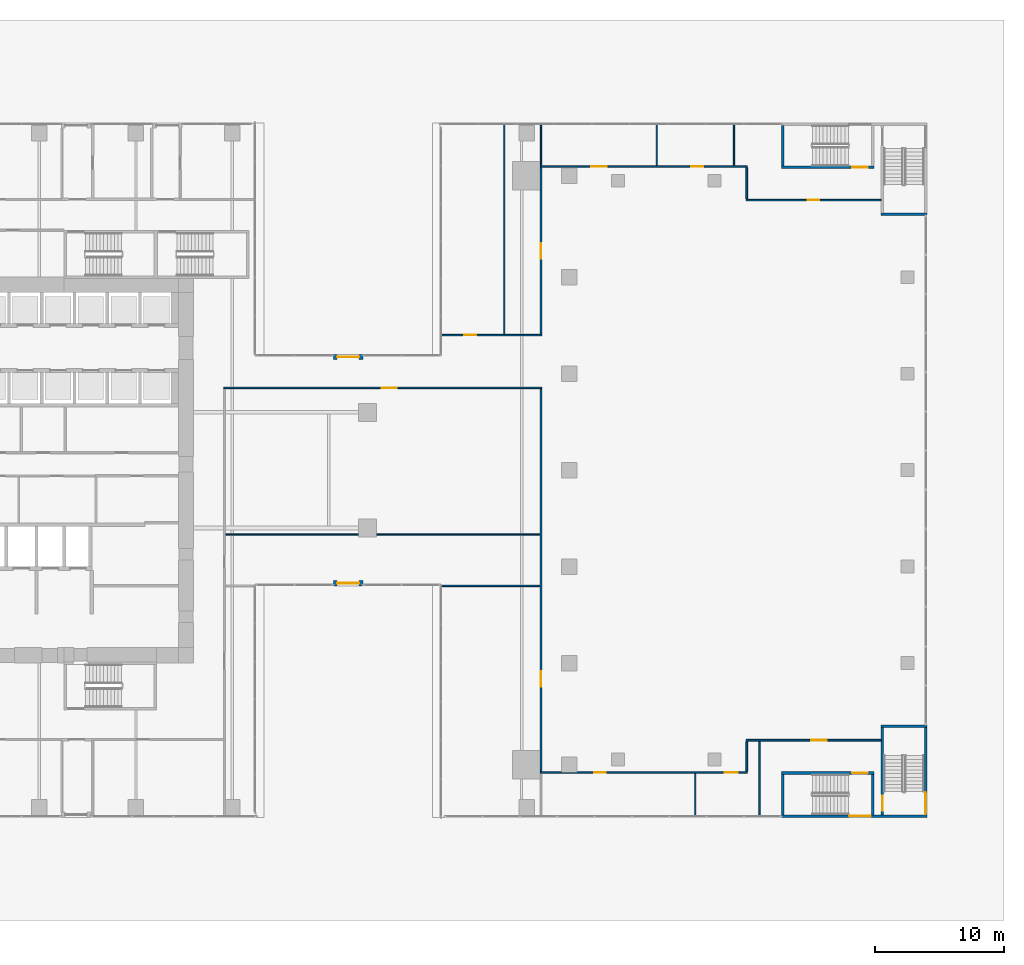
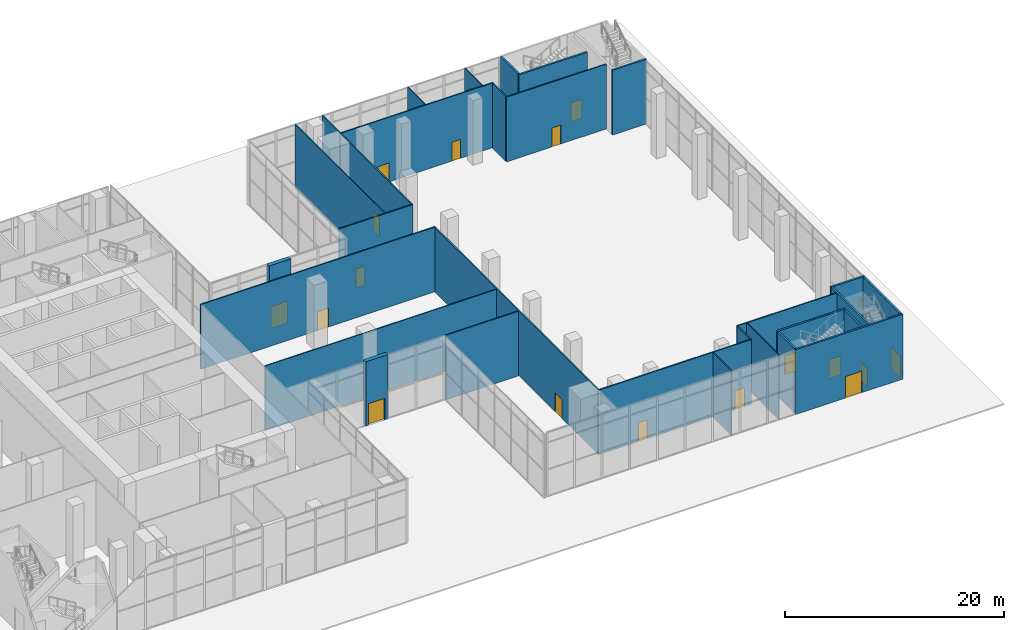
# One storey, part 41 of 52: 30 walls, 17 doors, 17 openings.
"""IFC4 building model written with IfcOpenShell, lengths in metres."""

from ifc_helpers import new_model, si_unit, direction, frame, frame_2d, origin, place, context, subcontext, project, spatial, rectangle, extrude, source, transform, mapped, material, layer, layer_set, type_object, element, fill, save


model = new_model("IFC4")

# Units and contexts
model_context = context("Model", 3, precision=1e-05, world=origin(), true_north=direction((0.0, 1.0)))
body_context = subcontext(model_context, "Body", "Model", "MODEL_VIEW")
ifc_project = project(units=[si_unit("LENGTHUNIT", "METRE"), si_unit("AREAUNIT", "SQUARE_METRE"), si_unit("VOLUMEUNIT", "CUBIC_METRE"), si_unit("PLANEANGLEUNIT", "RADIAN"), si_unit("MASSUNIT", "GRAM", prefix="KILO")], contexts=[model_context])

# Site, building, storey
site_placement = place(None, origin())
site = spatial("IfcSite", under=ifc_project, at=site_placement, CompositionType="ELEMENT")
building_placement = place(site_placement, origin())
building = spatial("IfcBuilding", under=site, at=building_placement, Name="Khomas Fold Tower", CompositionType="ELEMENT")
storey_placement = place(building_placement, origin())
storey = spatial("IfcBuildingStorey", under=building, at=storey_placement, Name="L00", CompositionType="ELEMENT", Elevation=0.0)

# Wall, opening, door
ifc_material_1 = material(Name="Concrete C40/50", Category="concrete")
ifc_layer_1 = layer(ifc_material_1, 0.39990234375)
ifc_layer_set_1 = layer_set([ifc_layer_1], Name="Concrete C40/50")
wall_type_1 = type_object("IfcWallType", Name="Stone-clad concrete wall 400", PredefinedType="SOLIDWALL", material=ifc_layer_set_1)
shared_shape_1 = source(origin(), body_context, "Body", "SweptSolid", [
    extrude(rectangle(XDim=2.2998046875, YDim=0.39990234375, at=frame_2d((1.14990234375, 0.0))), origin(), (0.0, 0.0, 1.0), 7.14990234375),
])
wall_1_placement = place(storey_placement, frame((34.85009765625, 18.199951171875, 0.0), z_axis=(0.0, 0.0, 1.0), x_axis=(1.0, 0.0, 0.0)))
wall_1 = element("IfcWall", 1, at=wall_1_placement, inside=storey, type_object=wall_type_1, Name="Podium wall", PredefinedType="SOLIDWALL", context=body_context, shape_type="MappedRepresentation", body=[
    mapped(shared_shape_1, transform((0.0, 0.0, 0.0))),
])
shared_shape_2 = source(origin(), body_context, "Body", "SweptSolid", [
    extrude(rectangle(XDim=1.699951171875, YDim=2.39990234375, at=frame_2d((0.85009765625, 1.199951171875))), frame((0.0, 0.2099609375, 0.0), z_axis=(0.0, -1.0, 0.0), x_axis=(1.0, 0.0, 0.0)), (0.0, 0.0, 1.0), 0.419921875),
])
opening_1_placement = place(wall_1_placement, frame((2.0, 0.0, 0.0), z_axis=(0.0, 0.0, 1.0), x_axis=(-1.0, 0.0, 0.0)))
opening_1 = element("IfcOpeningElement", 2, at=opening_1_placement, cuts=wall_1, Name="Opening X12", PredefinedType="OPENING", context=body_context, shape_type="MappedRepresentation", body=[
    mapped(shared_shape_2, transform((0.0, 0.0, 0.0))),
])
ifc_material_2 = material(Name="Aluminium framed glazing", Category="aluminium")
door_type_1 = type_object("IfcDoorType", Name="Glazed pedestrian door 1700 x 2400", OperationType="DOUBLE_DOOR_SINGLE_SWING", PredefinedType="DOOR", material=ifc_material_2)
shared_shape_3 = source(origin(), body_context, "Body", "SweptSolid", [
    extrude(rectangle(XDim=1.699951171875, YDim=2.39990234375, at=frame_2d((0.85009765625, 1.199951171875))), frame((0.0, 0.02490234375, 0.0), z_axis=(0.0, -1.0, 0.0), x_axis=(1.0, 0.0, 0.0)), (0.0, 0.0, 1.0), 0.050048828125),
])
door_1_placement = place(opening_1_placement, origin())
door_1 = element("IfcDoor", 3, at=door_1_placement, inside=storey, type_object=door_type_1, Name="Exit X12", OperationType="DOUBLE_DOOR_SINGLE_SWING", OverallHeight=2.39990234375, OverallWidth=1.699951171875, PredefinedType="DOOR", context=body_context, shape_type="MappedRepresentation", body=[
    mapped(shared_shape_3, transform((0.0, 0.0, 0.0))),
])
fill(opening_1, door_1)

wall_2_placement = place(storey_placement, frame((37.14990234375, 35.800048828125, 0.0), z_axis=(0.0, 0.0, 1.0), x_axis=(-1.0, 0.0, 0.0)))
wall_2 = element("IfcWall", 4, at=wall_2_placement, inside=storey, type_object=wall_type_1, Name="Podium wall", PredefinedType="SOLIDWALL", context=body_context, shape_type="MappedRepresentation", body=[
    mapped(shared_shape_1, transform((0.0, 0.0, 0.0))),
])
opening_2_placement = place(wall_2_placement, frame((2.0, 0.0, 0.0), z_axis=(0.0, 0.0, 1.0), x_axis=(-1.0, 0.0, 0.0)))
opening_2 = element("IfcOpeningElement", 5, at=opening_2_placement, cuts=wall_2, Name="Opening X13", PredefinedType="OPENING", context=body_context, shape_type="MappedRepresentation", body=[
    mapped(shared_shape_2, transform((0.0, 0.0, 0.0))),
])
door_2_placement = place(opening_2_placement, origin())
door_2 = element("IfcDoor", 6, at=door_2_placement, inside=storey, type_object=door_type_1, Name="Exit X13", OperationType="DOUBLE_DOOR_SINGLE_SWING", OverallHeight=2.39990234375, OverallWidth=1.699951171875, PredefinedType="DOOR", context=body_context, shape_type="MappedRepresentation", body=[
    mapped(shared_shape_3, transform((0.0, 0.0, 0.0))),
])
fill(opening_2, door_2)

ifc_material_3 = material(Name="Concrete C30/37", Category="concrete")
ifc_layer_2 = layer(ifc_material_3, 0.199951171875)
ifc_layer_set_2 = layer_set([ifc_layer_2], Name="Concrete C30/37")
wall_type_2 = type_object("IfcWallType", Name="Stair wall PW5 200", PredefinedType="PARTITIONING", material=ifc_layer_set_2)
shared_shape_4 = source(origin(), body_context, "Body", "SweptSolid", [
    extrude(rectangle(XDim=7.199951171875, YDim=0.199951171875, at=frame_2d((3.60009765625, 0.0))), origin(), (0.0, 0.0, 1.0), 7.199951171875),
])
wall_3_placement = place(storey_placement, frame((69.699951171875, 3.449951171875, 0.0), z_axis=(0.0, 0.0, 1.0), x_axis=(1.0, 0.0, 0.0)))
wall_3 = element("IfcWall", 7, at=wall_3_placement, inside=storey, type_object=wall_type_2, Name="Stair wall", PredefinedType="PARTITIONING", context=body_context, shape_type="MappedRepresentation", body=[
    mapped(shared_shape_4, transform((0.0, 0.0, 0.0))),
])
shared_shape_5 = source(origin(), body_context, "Body", "SweptSolid", [
    extrude(rectangle(XDim=1.199951171875, YDim=2.10009765625, at=frame_2d((0.60009765625, 1.050048828125))), frame((0.0, 0.10986328125, 0.0), z_axis=(0.0, -1.0, 0.0), x_axis=(1.0, 0.0, 0.0)), (0.0, 0.0, 1.0), 0.219970703125),
])
opening_3_placement = place(wall_3_placement, frame((5.5, 0.0, 0.0)))
opening_3 = element("IfcOpeningElement", 8, at=opening_3_placement, cuts=wall_3, Name="Opening 0018", PredefinedType="OPENING", context=body_context, shape_type="MappedRepresentation", body=[
    mapped(shared_shape_5, transform((0.0, 0.0, 0.0))),
])
ifc_material_4 = material(Name="Steel door leaf", Category="steel")
door_type_2 = type_object("IfcDoorType", Name="Stair door 1200x2100 right-hand", OperationType="SINGLE_SWING_RIGHT", PredefinedType="DOOR", material=ifc_material_4)
shared_shape_6 = source(origin(), body_context, "Body", "SweptSolid", [
    extrude(rectangle(XDim=1.199951171875, YDim=2.10009765625, at=frame_2d((0.60009765625, 1.050048828125))), frame((0.0, 0.02490234375, 0.0), z_axis=(0.0, -1.0, 0.0), x_axis=(1.0, 0.0, 0.0)), (0.0, 0.0, 1.0), 0.050048828125),
])
door_3_placement = place(opening_3_placement, origin())
door_3 = element("IfcDoor", 9, at=door_3_placement, inside=storey, type_object=door_type_2, Name="Stair door", OperationType="SINGLE_SWING_RIGHT", OverallHeight=2.10009765625, OverallWidth=1.199951171875, PredefinedType="DOOR", context=body_context, shape_type="MappedRepresentation", body=[
    mapped(shared_shape_6, transform((0.0, 0.0, 0.0))),
])
fill(opening_3, door_3)

wall_4_placement = place(storey_placement, frame((69.699951171875, 50.550048828125, 0.0), z_axis=(0.0, 0.0, 1.0), x_axis=(1.0, 0.0, 0.0)))
wall_4 = element("IfcWall", 10, at=wall_4_placement, inside=storey, type_object=wall_type_2, Name="Stair wall", PredefinedType="PARTITIONING", context=body_context, shape_type="MappedRepresentation", body=[
    mapped(shared_shape_4, transform((0.0, 0.0, 0.0))),
])
opening_4_placement = place(wall_4_placement, frame((5.5, 0.0, 0.0)))
opening_4 = element("IfcOpeningElement", 11, at=opening_4_placement, cuts=wall_4, Name="Opening 0017", PredefinedType="OPENING", context=body_context, shape_type="MappedRepresentation", body=[
    mapped(shared_shape_5, transform((0.0, 0.0, 0.0))),
])
ifc_material_5 = material(Name="Steel door leaf", Category="steel")
door_type_3 = type_object("IfcDoorType", Name="Stair door 1200x2100 left-hand", OperationType="SINGLE_SWING_LEFT", PredefinedType="DOOR", material=ifc_material_5)
door_4_placement = place(opening_4_placement, origin())
door_4 = element("IfcDoor", 12, at=door_4_placement, inside=storey, type_object=door_type_3, Name="Stair door", OperationType="SINGLE_SWING_LEFT", OverallHeight=2.10009765625, OverallWidth=1.199951171875, PredefinedType="DOOR", context=body_context, shape_type="MappedRepresentation", body=[
    mapped(shared_shape_6, transform((0.0, 0.0, 0.0))),
])
fill(opening_4, door_4)

# Walls
shared_shape_7 = source(origin(), body_context, "Body", "SweptSolid", [
    extrude(rectangle(XDim=3.150146484375, YDim=0.199951171875, at=frame_2d((1.5751953125, 0.0))), origin(), (0.0, 0.0, 1.0), 7.199951171875),
])
for number, where, z_axis, x_axis, name in (
    (13, (69.800048828125, 0.199951171875, 0.0), (0.0, 0.0, 1.0), (0.0, 1.0, 0.0), "Stair wall"),
    (14, (76.800048828125, 0.199951171875, 0.0), (0.0, 0.0, 1.0), (0.0, 1.0, 0.0), "Stair wall"),
    (15, (69.800048828125, 50.64990234375, 0.0), (0.0, 0.0, 1.0), (0.0, 1.0, 0.0), "Stair wall"),
):
    element("IfcWall", number, at=place(storey_placement, frame(where, z_axis=z_axis, x_axis=x_axis)), inside=storey, type_object=wall_type_2, Name=name, PredefinedType="PARTITIONING", context=body_context, shape_type="MappedRepresentation", body=[
        mapped(shared_shape_7, transform((0.0, 0.0, 0.0))),
    ])
shared_shape_8 = source(origin(), body_context, "Body", "SweptSolid", [
    extrude(rectangle(XDim=3.550048828125, YDim=0.199951171875, at=frame_2d((1.77490234375, 0.0))), origin(), (0.0, 0.0, 1.0), 7.199951171875),
])
for number, where, z_axis, x_axis, name in (
    (16, (77.449951171875, 7.10009765625, 0.0), (0.0, 0.0, 1.0), (1.0, 0.0, 0.0), "Stair wall"),
    (17, (77.449951171875, 46.89990234375, 0.0), (0.0, 0.0, 1.0), (1.0, 0.0, 0.0), "Stair wall"),
):
    element("IfcWall", number, at=place(storey_placement, frame(where, z_axis=z_axis, x_axis=x_axis)), inside=storey, type_object=wall_type_2, Name=name, PredefinedType="PARTITIONING", context=body_context, shape_type="MappedRepresentation", body=[
        mapped(shared_shape_8, transform((0.0, 0.0, 0.0))),
    ])

# Wall, opening, door
shared_shape_9 = source(origin(), body_context, "Body", "SweptSolid", [
    extrude(rectangle(XDim=6.800048828125, YDim=0.199951171875, at=frame_2d((3.39990234375, 0.0))), origin(), (0.0, 0.0, 1.0), 7.199951171875),
])
wall_5_placement = place(storey_placement, frame((77.550048828125, 0.199951171875, 0.0), z_axis=(0.0, 0.0, 1.0), x_axis=(0.0, 1.0, 0.0)))
wall_5 = element("IfcWall", 18, at=wall_5_placement, inside=storey, type_object=wall_type_2, Name="Stair wall", PredefinedType="PARTITIONING", context=body_context, shape_type="MappedRepresentation", body=[
    mapped(shared_shape_9, transform((0.0, 0.0, 0.0))),
])
opening_5_placement = place(wall_5_placement, frame((0.300048828125, 0.0, 0.0)))
opening_5 = element("IfcOpeningElement", 19, at=opening_5_placement, cuts=wall_5, Name="Opening 0018", PredefinedType="OPENING", context=body_context, shape_type="MappedRepresentation", body=[
    mapped(shared_shape_5, transform((0.0, 0.0, 0.0))),
])
door_5_placement = place(opening_5_placement, origin())
door_5 = element("IfcDoor", 20, at=door_5_placement, inside=storey, type_object=door_type_2, Name="Stair door", OperationType="SINGLE_SWING_RIGHT", OverallHeight=2.10009765625, OverallWidth=1.199951171875, PredefinedType="DOOR", context=body_context, shape_type="MappedRepresentation", body=[
    mapped(shared_shape_6, transform((0.0, 0.0, 0.0))),
])
fill(opening_5, door_5)

wall_6_placement = place(storey_placement, frame((80.89990234375, 0.199951171875, 0.0), z_axis=(0.0, 0.0, 1.0), x_axis=(0.0, 1.0, 0.0)))
wall_6 = element("IfcWall", 21, at=wall_6_placement, inside=storey, type_object=wall_type_2, Name="Stair wall", PredefinedType="PARTITIONING", context=body_context, shape_type="MappedRepresentation", body=[
    mapped(shared_shape_9, transform((0.0, 0.0, 0.0))),
])
shared_shape_10 = source(origin(), body_context, "Body", "SweptSolid", [
    extrude(rectangle(XDim=1.699951171875, YDim=2.39990234375, at=frame_2d((0.85009765625, 1.199951171875))), frame((0.0, 0.10986328125, 0.0), z_axis=(0.0, -1.0, 0.0), x_axis=(1.0, 0.0, 0.0)), (0.0, 0.0, 1.0), 0.219970703125),
])
opening_6_placement = place(wall_6_placement, frame((1.75, 0.0, 0.0), z_axis=(0.0, 0.0, 1.0), x_axis=(-1.0, 0.0, 0.0)))
opening_6 = element("IfcOpeningElement", 22, at=opening_6_placement, cuts=wall_6, Name="Opening X4", PredefinedType="OPENING", context=body_context, shape_type="MappedRepresentation", body=[
    mapped(shared_shape_10, transform((0.0, 0.0, 0.0))),
])
ifc_material_6 = material(Name="Steel door leaf", Category="steel")
door_type_4 = type_object("IfcDoorType", Name="Stair discharge door 1700x2400", OperationType="DOUBLE_DOOR_SINGLE_SWING", PredefinedType="DOOR", material=ifc_material_6)
door_6_placement = place(opening_6_placement, origin())
door_6 = element("IfcDoor", 23, at=door_6_placement, inside=storey, type_object=door_type_4, Name="Stair discharge door", OperationType="DOUBLE_DOOR_SINGLE_SWING", OverallHeight=2.39990234375, OverallWidth=1.699951171875, PredefinedType="DOOR", context=body_context, shape_type="MappedRepresentation", body=[
    mapped(shared_shape_3, transform((0.0, 0.0, 0.0))),
])
fill(opening_6, door_6)

shared_shape_11 = source(origin(), body_context, "Body", "SweptSolid", [
    extrude(rectangle(XDim=11.300048828125, YDim=0.199951171875, at=frame_2d((5.64990234375, 0.0))), origin(), (0.0, 0.0, 1.0), 7.199951171875),
])
wall_7_placement = place(storey_placement, frame((69.699951171875, 0.10009765625, 0.0), z_axis=(0.0, 0.0, 1.0), x_axis=(1.0, 0.0, 0.0)))
wall_7 = element("IfcWall", 24, at=wall_7_placement, inside=storey, type_object=wall_type_2, Name="Stair wall", PredefinedType="PARTITIONING", context=body_context, shape_type="MappedRepresentation", body=[
    mapped(shared_shape_11, transform((0.0, 0.0, 0.0))),
])
opening_7_placement = place(wall_7_placement, frame((6.949951171875, 0.0, 0.0), z_axis=(0.0, 0.0, 1.0), x_axis=(-1.0, 0.0, 0.0)))
opening_7 = element("IfcOpeningElement", 25, at=opening_7_placement, cuts=wall_7, Name="Opening X3", PredefinedType="OPENING", context=body_context, shape_type="MappedRepresentation", body=[
    mapped(shared_shape_10, transform((0.0, 0.0, 0.0))),
])
door_7_placement = place(opening_7_placement, origin())
door_7 = element("IfcDoor", 26, at=door_7_placement, inside=storey, type_object=door_type_4, Name="Stair discharge door", OperationType="DOUBLE_DOOR_SINGLE_SWING", OverallHeight=2.39990234375, OverallWidth=1.699951171875, PredefinedType="DOOR", context=body_context, shape_type="MappedRepresentation", body=[
    mapped(shared_shape_3, transform((0.0, 0.0, 0.0))),
])
fill(opening_7, door_7)

# Walls
ifc_material_7 = material(Name="Plasterboard partition")
ifc_layer_3 = layer(ifc_material_7, 0.10009765625)
ifc_layer_set_3 = layer_set([ifc_layer_3], Name="Plasterboard partition")
wall_type_3 = type_object("IfcWallType", Name="Partition PW1 100", PredefinedType="PARTITIONING", material=ifc_layer_set_3)
shared_shape_12 = source(origin(), body_context, "Body", "SweptSolid", [
    extrude(rectangle(XDim=3.2998046875, YDim=0.10009765625, at=frame_2d((1.64990234375, 0.0))), origin(), (0.0, 0.0, 1.0), 7.199951171875),
])
wall_8_placement = place(storey_placement, frame((63.0, 0.10009765625, 0.0), z_axis=(0.0, 0.0, 1.0), x_axis=(0.0, 1.0, 0.0)))
element("IfcWall", 27, at=wall_8_placement, inside=storey, type_object=wall_type_3, Name="Partition", PredefinedType="PARTITIONING", context=body_context, shape_type="MappedRepresentation", body=[
    mapped(shared_shape_12, transform((0.0, 0.0, 0.0))),
])
shared_shape_13 = source(origin(), body_context, "Body", "SweptSolid", [
    extrude(rectangle(XDim=5.7998046875, YDim=0.10009765625, at=frame_2d((2.89990234375, 0.0))), origin(), (0.0, 0.0, 1.0), 7.199951171875),
])
wall_9_placement = place(storey_placement, frame((68.0, 0.10009765625, 0.0), z_axis=(0.0, 0.0, 1.0), x_axis=(0.0, 1.0, 0.0)))
element("IfcWall", 28, at=wall_9_placement, inside=storey, type_object=wall_type_3, Name="Partition", PredefinedType="PARTITIONING", context=body_context, shape_type="MappedRepresentation", body=[
    mapped(shared_shape_13, transform((0.0, 0.0, 0.0))),
])

# Wall, openings, doors
ifc_material_8 = material(Name="Plasterboard partition")
ifc_layer_4 = layer(ifc_material_8, 0.125)
ifc_layer_set_4 = layer_set([ifc_layer_4], Name="Plasterboard partition")
wall_type_4 = type_object("IfcWallType", Name="Partition PW2 125", PredefinedType="PARTITIONING", material=ifc_layer_set_4)
shared_shape_14 = source(origin(), body_context, "Body", "SweptSolid", [
    extrude(rectangle(XDim=16.10009765625, YDim=0.125, at=frame_2d((8.050048828125, 0.0))), origin(), (0.0, 0.0, 1.0), 7.199951171875),
])
wall_10_placement = place(storey_placement, frame((50.949951171875, 3.5, 0.0), z_axis=(0.0, 0.0, 1.0), x_axis=(1.0, 0.0, 0.0)))
wall_10 = element("IfcWall", 29, at=wall_10_placement, inside=storey, type_object=wall_type_4, Name="Partition", PredefinedType="PARTITIONING", context=body_context, shape_type="MappedRepresentation", body=[
    mapped(shared_shape_14, transform((0.0, 0.0, 0.0))),
])
shared_shape_15 = source(origin(), body_context, "Body", "SweptSolid", [
    extrude(rectangle(XDim=0.89990234375, YDim=2.10009765625, at=frame_2d((0.449951171875, 1.050048828125))), frame((0.0, 0.072509765625, 0.0), z_axis=(0.0, -1.0, 0.0), x_axis=(1.0, 0.0, 0.0)), (0.0, 0.0, 1.0), 0.14501953125),
])
opening_8_placement = place(wall_10_placement, frame((4.199951171875, 0.0, 0.0)))
opening_8 = element("IfcOpeningElement", 30, at=opening_8_placement, cuts=wall_10, Name="Opening 0005", PredefinedType="OPENING", context=body_context, shape_type="MappedRepresentation", body=[
    mapped(shared_shape_15, transform((0.0, 0.0, 0.0))),
])
shared_shape_16 = source(origin(), body_context, "Body", "SweptSolid", [
    extrude(rectangle(XDim=1.0, YDim=2.10009765625, at=frame_2d((0.5, 1.050048828125))), frame((0.0, 0.072509765625, 0.0), z_axis=(0.0, -1.0, 0.0), x_axis=(1.0, 0.0, 0.0)), (0.0, 0.0, 1.0), 0.14501953125),
])
opening_9_placement = place(wall_10_placement, frame((14.35009765625, 0.0, 0.0)))
opening_9 = element("IfcOpeningElement", 31, at=opening_9_placement, cuts=wall_10, Name="Opening 0006", PredefinedType="OPENING", context=body_context, shape_type="MappedRepresentation", body=[
    mapped(shared_shape_16, transform((0.0, 0.0, 0.0))),
])
ifc_material_9 = material(Name="Timber door leaf", Category="wood")
door_type_5 = type_object("IfcDoorType", Name="WC door 900x2100 left-hand", OperationType="SINGLE_SWING_LEFT", PredefinedType="DOOR", material=ifc_material_9)
shared_shape_17 = source(origin(), body_context, "Body", "SweptSolid", [
    extrude(rectangle(XDim=0.89990234375, YDim=2.10009765625, at=frame_2d((0.449951171875, 1.050048828125))), frame((0.0, 0.02490234375, 0.0), z_axis=(0.0, -1.0, 0.0), x_axis=(1.0, 0.0, 0.0)), (0.0, 0.0, 1.0), 0.050048828125),
])
door_8_placement = place(opening_8_placement, origin())
door_8 = element("IfcDoor", 32, at=door_8_placement, inside=storey, type_object=door_type_5, Name="WC door", OperationType="SINGLE_SWING_LEFT", OverallHeight=2.10009765625, OverallWidth=0.89990234375, PredefinedType="DOOR", context=body_context, shape_type="MappedRepresentation", body=[
    mapped(shared_shape_17, transform((0.0, 0.0, 0.0))),
])
fill(opening_8, door_8)
ifc_material_10 = material(Name="Timber door leaf", Category="wood")
door_type_6 = type_object("IfcDoorType", Name="WC door 1000x2100 right-hand", OperationType="SINGLE_SWING_RIGHT", PredefinedType="DOOR", material=ifc_material_10)
shared_shape_18 = source(origin(), body_context, "Body", "SweptSolid", [
    extrude(rectangle(XDim=1.0, YDim=2.10009765625, at=frame_2d((0.5, 1.050048828125))), frame((0.0, 0.02490234375, 0.0), z_axis=(0.0, -1.0, 0.0), x_axis=(1.0, 0.0, 0.0)), (0.0, 0.0, 1.0), 0.050048828125),
])
door_9_placement = place(opening_9_placement, origin())
door_9 = element("IfcDoor", 33, at=door_9_placement, inside=storey, type_object=door_type_6, Name="WC door", OperationType="SINGLE_SWING_RIGHT", OverallHeight=2.10009765625, OverallWidth=1.0, PredefinedType="DOOR", context=body_context, shape_type="MappedRepresentation", body=[
    mapped(shared_shape_18, transform((0.0, 0.0, 0.0))),
])
fill(opening_9, door_9)

wall_11_placement = place(storey_placement, frame((50.949951171875, 50.60009765625, 0.0), z_axis=(0.0, 0.0, 1.0), x_axis=(1.0, 0.0, 0.0)))
wall_11 = element("IfcWall", 34, at=wall_11_placement, inside=storey, type_object=wall_type_4, Name="Partition", PredefinedType="PARTITIONING", context=body_context, shape_type="MappedRepresentation", body=[
    mapped(shared_shape_14, transform((0.0, 0.0, 0.0))),
])
shared_shape_19 = source(origin(), body_context, "Body", "SweptSolid", [
    extrude(rectangle(XDim=1.199951171875, YDim=2.10009765625, at=frame_2d((0.60009765625, 1.050048828125))), frame((0.0, 0.072509765625, 0.0), z_axis=(0.0, -1.0, 0.0), x_axis=(1.0, 0.0, 0.0)), (0.0, 0.0, 1.0), 0.14501953125),
])
opening_10_placement = place(wall_11_placement, frame((3.949951171875, 0.0, 0.0)))
opening_10 = element("IfcOpeningElement", 35, at=opening_10_placement, cuts=wall_11, Name="Opening 0013", PredefinedType="OPENING", context=body_context, shape_type="MappedRepresentation", body=[
    mapped(shared_shape_19, transform((0.0, 0.0, 0.0))),
])
opening_11_placement = place(wall_11_placement, frame((11.75, 0.0, 0.0)))
opening_11 = element("IfcOpeningElement", 36, at=opening_11_placement, cuts=wall_11, Name="Opening 0007", PredefinedType="OPENING", context=body_context, shape_type="MappedRepresentation", body=[
    mapped(shared_shape_15, transform((0.0, 0.0, 0.0))),
])
ifc_material_11 = material(Name="Timber door leaf", Category="wood")
door_type_7 = type_object("IfcDoorType", Name="Door 900x2100 left-hand", OperationType="SINGLE_SWING_LEFT", PredefinedType="DOOR", material=ifc_material_11)
door_10_placement = place(opening_11_placement, origin())
door_10 = element("IfcDoor", 37, at=door_10_placement, inside=storey, type_object=door_type_7, Name="Door", OperationType="SINGLE_SWING_LEFT", OverallHeight=2.10009765625, OverallWidth=0.89990234375, PredefinedType="DOOR", context=body_context, shape_type="MappedRepresentation", body=[
    mapped(shared_shape_17, transform((0.0, 0.0, 0.0))),
])
fill(opening_11, door_10)
ifc_material_12 = material(Name="Timber door leaf", Category="wood")
door_type_8 = type_object("IfcDoorType", Name="Door 1200x2100 left-hand", OperationType="SINGLE_SWING_LEFT", PredefinedType="DOOR", material=ifc_material_12)
door_11_placement = place(opening_10_placement, origin())
door_11 = element("IfcDoor", 38, at=door_11_placement, inside=storey, type_object=door_type_8, Name="Door", OperationType="SINGLE_SWING_LEFT", OverallHeight=2.10009765625, OverallWidth=1.199951171875, PredefinedType="DOOR", context=body_context, shape_type="MappedRepresentation", body=[
    mapped(shared_shape_6, transform((0.0, 0.0, 0.0))),
])
fill(opening_10, door_11)

# Wall, opening, door
shared_shape_20 = source(origin(), body_context, "Body", "SweptSolid", [
    extrude(rectangle(XDim=29.699951171875, YDim=0.125, at=frame_2d((14.85009765625, 0.0))), origin(), (0.0, 0.0, 1.0), 7.199951171875),
])
wall_12_placement = place(storey_placement, frame((51.0, 3.60009765625, 0.0), z_axis=(0.0, 0.0, 1.0), x_axis=(0.0, 1.0, 0.0)))
wall_12 = element("IfcWall", 39, at=wall_12_placement, inside=storey, type_object=wall_type_4, Name="Partition", PredefinedType="PARTITIONING", context=body_context, shape_type="MappedRepresentation", body=[
    mapped(shared_shape_20, transform((0.0, 0.0, 0.0))),
])
opening_12_placement = place(wall_12_placement, frame((6.550048828125, 0.0, 0.0)))
opening_12 = element("IfcOpeningElement", 40, at=opening_12_placement, cuts=wall_12, Name="Opening 0001", PredefinedType="OPENING", context=body_context, shape_type="MappedRepresentation", body=[
    mapped(shared_shape_19, transform((0.0, 0.0, 0.0))),
])
ifc_material_13 = material(Name="Timber door leaf", Category="wood")
door_type_9 = type_object("IfcDoorType", Name="Door 1200x2100 right-hand", OperationType="SINGLE_SWING_RIGHT", PredefinedType="DOOR", material=ifc_material_13)
door_12_placement = place(opening_12_placement, origin())
door_12 = element("IfcDoor", 41, at=door_12_placement, inside=storey, type_object=door_type_9, Name="Door", OperationType="SINGLE_SWING_RIGHT", OverallHeight=2.10009765625, OverallWidth=1.199951171875, PredefinedType="DOOR", context=body_context, shape_type="MappedRepresentation", body=[
    mapped(shared_shape_6, transform((0.0, 0.0, 0.0))),
])
fill(opening_12, door_12)

# Wall
shared_shape_21 = source(origin(), body_context, "Body", "SweptSolid", [
    extrude(rectangle(XDim=2.2998046875, YDim=0.125, at=frame_2d((1.14990234375, 0.0))), origin(), (0.0, 0.0, 1.0), 7.199951171875),
])
wall_13_placement = place(storey_placement, frame((67.0, 3.60009765625, 0.0), z_axis=(0.0, 0.0, 1.0), x_axis=(0.0, 1.0, 0.0)))
element("IfcWall", 42, at=wall_13_placement, inside=storey, type_object=wall_type_4, Name="Partition", PredefinedType="PARTITIONING", context=body_context, shape_type="MappedRepresentation", body=[
    mapped(shared_shape_21, transform((0.0, 0.0, 0.0))),
])

# Wall, opening, door
shared_shape_22 = source(origin(), body_context, "Body", "SweptSolid", [
    extrude(rectangle(XDim=10.5, YDim=0.125, at=frame_2d((5.25, 0.0))), origin(), (0.0, 0.0, 1.0), 7.199951171875),
])
wall_14_placement = place(storey_placement, frame((66.949951171875, 6.0, 0.0), z_axis=(0.0, 0.0, 1.0), x_axis=(1.0, 0.0, 0.0)))
wall_14 = element("IfcWall", 43, at=wall_14_placement, inside=storey, type_object=wall_type_4, Name="Partition", PredefinedType="PARTITIONING", context=body_context, shape_type="MappedRepresentation", body=[
    mapped(shared_shape_22, transform((0.0, 0.0, 0.0))),
])
opening_13_placement = place(wall_14_placement, frame((5.050048828125, 0.0, 0.0)))
opening_13 = element("IfcOpeningElement", 44, at=opening_13_placement, cuts=wall_14, Name="Opening 0013", PredefinedType="OPENING", context=body_context, shape_type="MappedRepresentation", body=[
    mapped(shared_shape_19, transform((0.0, 0.0, 0.0))),
])
door_13_placement = place(opening_13_placement, origin())
door_13 = element("IfcDoor", 45, at=door_13_placement, inside=storey, type_object=door_type_8, Name="Door", OperationType="SINGLE_SWING_LEFT", OverallHeight=2.10009765625, OverallWidth=1.199951171875, PredefinedType="DOOR", context=body_context, shape_type="MappedRepresentation", body=[
    mapped(shared_shape_6, transform((0.0, 0.0, 0.0))),
])
fill(opening_13, door_13)

wall_15_placement = place(storey_placement, frame((66.949951171875, 48.0, 0.0), z_axis=(0.0, 0.0, 1.0), x_axis=(1.0, 0.0, 0.0)))
wall_15 = element("IfcWall", 46, at=wall_15_placement, inside=storey, type_object=wall_type_4, Name="Partition", PredefinedType="PARTITIONING", context=body_context, shape_type="MappedRepresentation", body=[
    mapped(shared_shape_22, transform((0.0, 0.0, 0.0))),
])
opening_14_placement = place(wall_15_placement, frame((4.800048828125, 0.0, 0.0)))
opening_14 = element("IfcOpeningElement", 47, at=opening_14_placement, cuts=wall_15, Name="Opening 0005", PredefinedType="OPENING", context=body_context, shape_type="MappedRepresentation", body=[
    mapped(shared_shape_15, transform((0.0, 0.0, 0.0))),
])
door_14_placement = place(opening_14_placement, origin())
door_14 = element("IfcDoor", 48, at=door_14_placement, inside=storey, type_object=door_type_5, Name="WC door", OperationType="SINGLE_SWING_LEFT", OverallHeight=2.10009765625, OverallWidth=0.89990234375, PredefinedType="DOOR", context=body_context, shape_type="MappedRepresentation", body=[
    mapped(shared_shape_17, transform((0.0, 0.0, 0.0))),
])
fill(opening_14, door_14)

# Walls
shared_shape_23 = source(origin(), body_context, "Body", "SweptSolid", [
    extrude(rectangle(XDim=7.64990234375, YDim=0.10009765625, at=frame_2d((3.824951171875, 0.0))), origin(), (0.0, 0.0, 1.0), 7.199951171875),
])
wall_16_placement = place(storey_placement, frame((43.25, 18.0, 0.0), z_axis=(0.0, 0.0, 1.0), x_axis=(1.0, 0.0, 0.0)))
element("IfcWall", 49, at=wall_16_placement, inside=storey, type_object=wall_type_3, Name="Partition", PredefinedType="PARTITIONING", context=body_context, shape_type="MappedRepresentation", body=[
    mapped(shared_shape_23, transform((0.0, 0.0, 0.0))),
])
shared_shape_24 = source(origin(), body_context, "Body", "SweptSolid", [
    extrude(rectangle(XDim=24.39990234375, YDim=0.10009765625, at=frame_2d((12.199951171875, 0.0))), origin(), (0.0, 0.0, 1.0), 7.199951171875),
])
wall_17_placement = place(storey_placement, frame((26.5, 22.0, 0.0), z_axis=(0.0, 0.0, 1.0), x_axis=(1.0, 0.0, 0.0)))
element("IfcWall", 50, at=wall_17_placement, inside=storey, type_object=wall_type_3, Name="Partition", PredefinedType="PARTITIONING", context=body_context, shape_type="MappedRepresentation", body=[
    mapped(shared_shape_24, transform((0.0, 0.0, 0.0))),
])

# Wall, opening, door
shared_shape_25 = source(origin(), body_context, "Body", "SweptSolid", [
    extrude(rectangle(XDim=24.699951171875, YDim=0.125, at=frame_2d((12.35009765625, 0.0))), origin(), (0.0, 0.0, 1.0), 7.199951171875),
])
wall_18_placement = place(storey_placement, frame((26.35009765625, 33.39990234375, 0.0), z_axis=(0.0, 0.0, 1.0), x_axis=(1.0, 0.0, 0.0)))
wall_18 = element("IfcWall", 51, at=wall_18_placement, inside=storey, type_object=wall_type_4, Name="Partition", PredefinedType="PARTITIONING", context=body_context, shape_type="MappedRepresentation", body=[
    mapped(shared_shape_25, transform((0.0, 0.0, 0.0))),
])
opening_15_placement = place(wall_18_placement, frame((12.25, 0.0, 0.0)))
opening_15 = element("IfcOpeningElement", 52, at=opening_15_placement, cuts=wall_18, Name="Opening 0001", PredefinedType="OPENING", context=body_context, shape_type="MappedRepresentation", body=[
    mapped(shared_shape_19, transform((0.0, 0.0, 0.0))),
])
door_15_placement = place(opening_15_placement, origin())
door_15 = element("IfcDoor", 53, at=door_15_placement, inside=storey, type_object=door_type_9, Name="Door", OperationType="SINGLE_SWING_RIGHT", OverallHeight=2.10009765625, OverallWidth=1.199951171875, PredefinedType="DOOR", context=body_context, shape_type="MappedRepresentation", body=[
    mapped(shared_shape_6, transform((0.0, 0.0, 0.0))),
])
fill(opening_15, door_15)

shared_shape_26 = source(origin(), body_context, "Body", "SweptSolid", [
    extrude(rectangle(XDim=7.800048828125, YDim=0.125, at=frame_2d((3.89990234375, 0.0))), origin(), (0.0, 0.0, 1.0), 7.199951171875),
])
wall_19_placement = place(storey_placement, frame((43.25, 37.5, 0.0), z_axis=(0.0, 0.0, 1.0), x_axis=(1.0, 0.0, 0.0)))
wall_19 = element("IfcWall", 54, at=wall_19_placement, inside=storey, type_object=wall_type_4, Name="Partition", PredefinedType="PARTITIONING", context=body_context, shape_type="MappedRepresentation", body=[
    mapped(shared_shape_26, transform((0.0, 0.0, 0.0))),
])
opening_16_placement = place(wall_19_placement, frame((1.800048828125, 0.0, 0.0)))
opening_16 = element("IfcOpeningElement", 55, at=opening_16_placement, cuts=wall_19, Name="Opening 0008", PredefinedType="OPENING", context=body_context, shape_type="MappedRepresentation", body=[
    mapped(shared_shape_15, transform((0.0, 0.0, 0.0))),
])
ifc_material_14 = material(Name="Timber door leaf", Category="wood")
door_type_10 = type_object("IfcDoorType", Name="Door 900x2100 right-hand", OperationType="SINGLE_SWING_RIGHT", PredefinedType="DOOR", material=ifc_material_14)
door_16_placement = place(opening_16_placement, origin())
door_16 = element("IfcDoor", 56, at=door_16_placement, inside=storey, type_object=door_type_10, Name="Door", OperationType="SINGLE_SWING_RIGHT", OverallHeight=2.10009765625, OverallWidth=0.89990234375, PredefinedType="DOOR", context=body_context, shape_type="MappedRepresentation", body=[
    mapped(shared_shape_17, transform((0.0, 0.0, 0.0))),
])
fill(opening_16, door_16)

# Wall
shared_shape_27 = source(origin(), body_context, "Body", "SweptSolid", [
    extrude(rectangle(XDim=16.2998046875, YDim=0.10009765625, at=frame_2d((8.14990234375, 0.0))), origin(), (0.0, 0.0, 1.0), 7.199951171875),
])
wall_20_placement = place(storey_placement, frame((48.14990234375, 37.60009765625, 0.0), z_axis=(0.0, 0.0, 1.0), x_axis=(0.0, 1.0, 0.0)))
element("IfcWall", 57, at=wall_20_placement, inside=storey, type_object=wall_type_3, Name="Partition", PredefinedType="PARTITIONING", context=body_context, shape_type="MappedRepresentation", body=[
    mapped(shared_shape_27, transform((0.0, 0.0, 0.0))),
])

# Wall, opening, door
shared_shape_28 = source(origin(), body_context, "Body", "SweptSolid", [
    extrude(rectangle(XDim=12.89990234375, YDim=0.125, at=frame_2d((6.449951171875, 0.0))), origin(), (0.0, 0.0, 1.0), 7.199951171875),
])
wall_21_placement = place(storey_placement, frame((51.0, 37.60009765625, 0.0), z_axis=(0.0, 0.0, 1.0), x_axis=(0.0, 1.0, 0.0)))
wall_21 = element("IfcWall", 58, at=wall_21_placement, inside=storey, type_object=wall_type_4, Name="Partition", PredefinedType="PARTITIONING", context=body_context, shape_type="MappedRepresentation", body=[
    mapped(shared_shape_28, transform((0.0, 0.0, 0.0))),
])
opening_17_placement = place(wall_21_placement, frame((5.85009765625, 0.0, 0.0)))
opening_17 = element("IfcOpeningElement", 59, at=opening_17_placement, cuts=wall_21, Name="Opening 0001", PredefinedType="OPENING", context=body_context, shape_type="MappedRepresentation", body=[
    mapped(shared_shape_19, transform((0.0, 0.0, 0.0))),
])
door_17_placement = place(opening_17_placement, origin())
door_17 = element("IfcDoor", 60, at=door_17_placement, inside=storey, type_object=door_type_9, Name="Door", OperationType="SINGLE_SWING_RIGHT", OverallHeight=2.10009765625, OverallWidth=1.199951171875, PredefinedType="DOOR", context=body_context, shape_type="MappedRepresentation", body=[
    mapped(shared_shape_6, transform((0.0, 0.0, 0.0))),
])
fill(opening_17, door_17)

# Walls
shared_shape_29 = source(origin(), body_context, "Body", "SweptSolid", [
    extrude(rectangle(XDim=2.39990234375, YDim=0.125, at=frame_2d((1.199951171875, 0.0))), origin(), (0.0, 0.0, 1.0), 7.199951171875),
])
wall_22_placement = place(storey_placement, frame((67.0, 48.10009765625, 0.0), z_axis=(0.0, 0.0, 1.0), x_axis=(0.0, 1.0, 0.0)))
element("IfcWall", 61, at=wall_22_placement, inside=storey, type_object=wall_type_4, Name="Partition", PredefinedType="PARTITIONING", context=body_context, shape_type="MappedRepresentation", body=[
    mapped(shared_shape_29, transform((0.0, 0.0, 0.0))),
])
shared_shape_30 = source(origin(), body_context, "Body", "SweptSolid", [
    extrude(rectangle(XDim=3.199951171875, YDim=0.10009765625, at=frame_2d((1.60009765625, 0.0))), origin(), (0.0, 0.0, 1.0), 7.199951171875),
])
for number, where, z_axis, x_axis, name in (
    (62, (51.0, 50.699951171875, 0.0), (0.0, 0.0, 1.0), (0.0, 1.0, 0.0), "Partition"),
    (63, (60.0, 50.699951171875, 0.0), (0.0, 0.0, 1.0), (0.0, 1.0, 0.0), "Partition"),
    (64, (66.0, 50.699951171875, 0.0), (0.0, 0.0, 1.0), (0.0, 1.0, 0.0), "Partition"),
):
    element("IfcWall", number, at=place(storey_placement, frame(where, z_axis=z_axis, x_axis=x_axis)), inside=storey, type_object=wall_type_3, Name=name, PredefinedType="PARTITIONING", context=body_context, shape_type="MappedRepresentation", body=[
        mapped(shared_shape_30, transform((0.0, 0.0, 0.0))),
    ])

save(model, "model.ifc")
